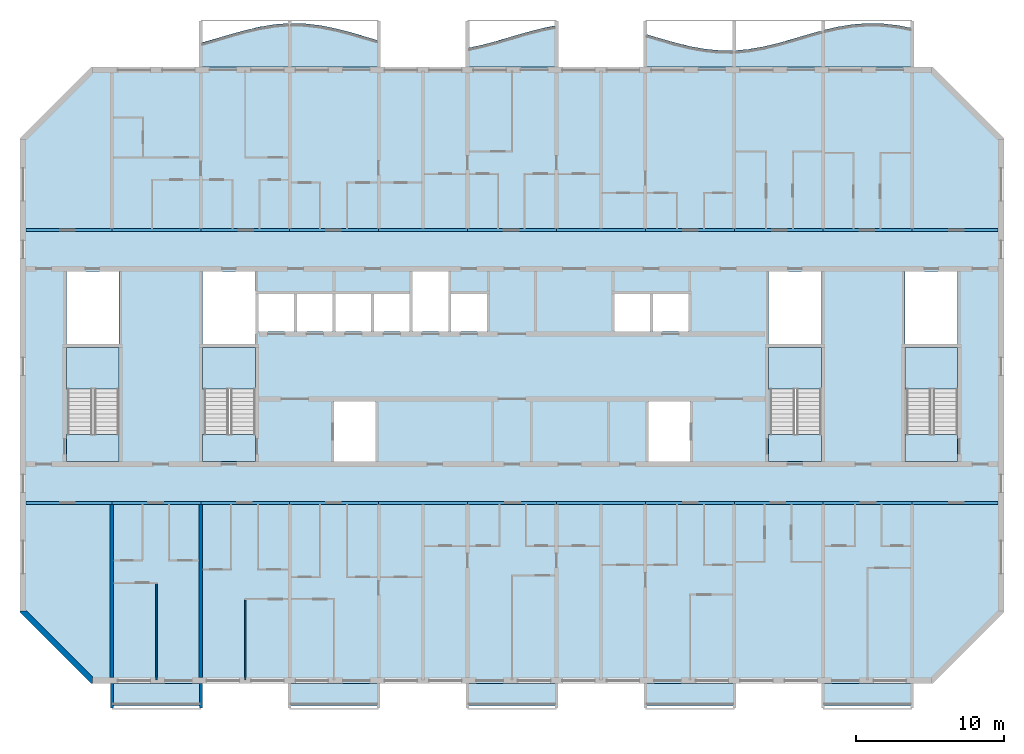
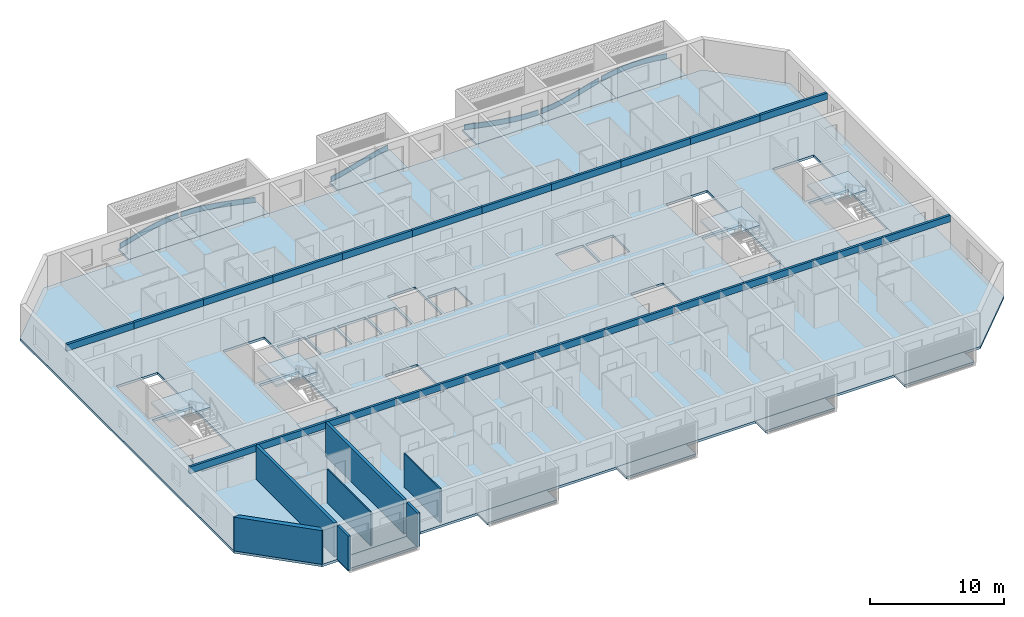
# One storey, part 1 of 26: 22 beams, 20 slabs, 7 walls, 6 plates, 4 elements without a shape of their own.
"""IFC4 building model written with IfcOpenShell, lengths in metres."""

import ifcopenshell
import ifcopenshell.guid

model = None  # the IFC model being written
_history = None  # IfcOwnerHistory: only IFC2X3 demands one
_inside = {}  # id of a spatial element -> (the spatial element, [elements in it])
_under = {}  # id of a project, library or spatial element -> (it, [spatial elements below it])
_declared = {}  # id of a project -> (the project, [libraries it declares])
_typed = {}  # id of a type object -> (the type object, [elements of that type])
_made_of = {}  # id of a material, layer set ... -> (it, [elements and type objects made of it])


def new_model(schema):
    """Start an empty IFC model of exactly this schema.

    Asked for "IFC4X3", IfcOpenShell would pick the latest addendum, in which some entities
    have other attributes; the version numbers below select the first issue.
    IFC2X3 requires an IfcOwnerHistory on every rooted entity: one is made here for all.
    """
    global model, _history
    if schema == "IFC4X3":
        model = ifcopenshell.file(schema_version=(4, 3, 0, 0))
    else:
        model = ifcopenshell.file(schema=schema)
    _inside.clear()
    _under.clear()
    _declared.clear()
    _typed.clear()
    _made_of.clear()
    _history = None
    if model.schema == "IFC2X3":
        org = make("IfcOrganization", Name="unknown")
        user = make(
            "IfcPersonAndOrganization",
            ThePerson=make("IfcPerson", FamilyName="unknown"),
            TheOrganization=org,
        )
        app = make(
            "IfcApplication",
            ApplicationDeveloper=org,
            Version="unknown",
            ApplicationFullName="unknown",
            ApplicationIdentifier="unknown",
        )
        _history = make(
            "IfcOwnerHistory",
            OwningUser=user,
            OwningApplication=app,
            ChangeAction="ADDED",
            CreationDate=0,
        )
    return model


def make(cls, **values):
    """One entity of the class cls with the attributes given. An attribute that is None is left unset."""
    return model.create_entity(
        cls, **{name: value for name, value in values.items() if value is not None}
    )


def rooted(cls, **values):
    """An entity with a GlobalId (a new one), such as an element, a storey or a relation."""
    return make(cls, GlobalId=ifcopenshell.guid.new(), OwnerHistory=_history, **values)


def si_unit(unit_type, name, prefix=None):
    """IfcSIUnit, for example si_unit("LENGTHUNIT", "METRE", prefix="MILLI")."""
    return make("IfcSIUnit", UnitType=unit_type, Prefix=prefix, Name=name)


def assignment(units):
    """IfcUnitAssignment: the units of a project."""
    return None if units is None else make("IfcUnitAssignment", Units=units)


def point(xyz):
    """IfcCartesianPoint."""
    return None if xyz is None else make("IfcCartesianPoint", Coordinates=xyz)


def direction(xyz):
    """IfcDirection."""
    return None if xyz is None else make("IfcDirection", DirectionRatios=xyz)


def frame(location, z_axis=None, x_axis=None):
    """IfcAxis2Placement3D, a coordinate frame: its origin and axes. An axis left out is left unset."""
    return make(
        "IfcAxis2Placement3D",
        Location=point(location),
        Axis=direction(z_axis),
        RefDirection=direction(x_axis),
    )


def frame_2d(location, x_axis=None):
    """IfcAxis2Placement2D, a coordinate frame in the plane: its origin and x axis."""
    return make(
        "IfcAxis2Placement2D", Location=point(location), RefDirection=direction(x_axis)
    )


def origin():
    """The frame at (0, 0, 0) with its axes left unset."""
    return frame((0.0, 0.0, 0.0))


def origin_2d():
    """The frame at (0, 0) in the plane with its x axis left unset."""
    return frame_2d((0.0, 0.0))


def place(relative_to, where):
    """IfcLocalPlacement: puts the frame where relative to a parent placement (None: the world)."""
    return make(
        "IfcLocalPlacement", PlacementRelTo=relative_to, RelativePlacement=where
    )


def context(
    kind, dimensions, precision=None, world=None, true_north=None, identifier=None
):
    """IfcGeometricRepresentationContext, for example the 3D "Model" context."""
    return make(
        "IfcGeometricRepresentationContext",
        ContextIdentifier=identifier,
        ContextType=kind,
        CoordinateSpaceDimension=dimensions,
        Precision=precision,
        WorldCoordinateSystem=world,
        TrueNorth=true_north,
    )


def subcontext(parent, identifier, kind, view, scale=None):
    """IfcGeometricRepresentationSubContext, for example "Body" below "Model"."""
    return make(
        "IfcGeometricRepresentationSubContext",
        ContextIdentifier=identifier,
        ContextType=kind,
        ParentContext=parent,
        TargetScale=scale,
        TargetView=view,
    )


def project(units=None, contexts=None):
    """IfcProject with its units and contexts."""
    return rooted(
        "IfcProject",
        Name="project",
        RepresentationContexts=contexts,
        UnitsInContext=assignment(units),
    )


def spatial(cls, under=None, at=None, **own):
    """A site, building, storey or space (cls), placed at a placement, below another one or the project."""
    s = rooted(cls, ObjectPlacement=at, **own)
    if under is not None:
        _under.setdefault(under.id(), (under, []))[1].append(s)
    return s


def polyline(points):
    """IfcPolyline through the points."""
    return make("IfcPolyline", Points=[point(p) for p in points])


def profile(cls, at=None, kind="AREA", **sizes):
    """A parametric profile (cls). Its sizes go by their IFC names, for example OverallWidth=200.0."""
    return make(cls, ProfileType=kind, Position=at, **sizes)


def rectangle(**sizes):
    """IfcRectangleProfileDef."""
    return profile("IfcRectangleProfileDef", **sizes)


def outline(outer, holes=None, kind="AREA"):
    """IfcArbitraryClosedProfileDef: a profile drawn as a closed curve; with holes, ...WithVoids."""
    if holes is None:
        return make("IfcArbitraryClosedProfileDef", ProfileType=kind, OuterCurve=outer)
    return make(
        "IfcArbitraryProfileDefWithVoids",
        ProfileType=kind,
        OuterCurve=outer,
        InnerCurves=holes,
    )


def extrude(swept, where, along, depth):
    """IfcExtrudedAreaSolid: the profile swept, set in the frame where, extruded along a direction by depth."""
    return make(
        "IfcExtrudedAreaSolid",
        SweptArea=swept,
        Position=where,
        ExtrudedDirection=direction(along),
        Depth=depth,
    )


def shape(context_of_items, identifier, shape_type, items):
    """IfcShapeRepresentation: the items that make up one representation, for example the "Body"."""
    return make(
        "IfcShapeRepresentation",
        ContextOfItems=context_of_items,
        RepresentationIdentifier=identifier,
        RepresentationType=shape_type,
        Items=items,
    )


def source(mapping_origin, context_of_items, identifier, shape_type, items):
    """IfcRepresentationMap: a shape defined once, which mapped items show again and again."""
    return make(
        "IfcRepresentationMap",
        MappingOrigin=mapping_origin,
        MappedRepresentation=shape(context_of_items, identifier, shape_type, items),
    )


def transform(
    local_origin,
    x_axis=None,
    y_axis=None,
    z_axis=None,
    scale=None,
    scale2=None,
    scale3=None,
    uniform=True,
):
    """IfcCartesianTransformationOperator3D, or its non-uniform kind. x_axis, y_axis, z_axis: its Axis1, 2, 3."""
    if uniform:
        return make(
            "IfcCartesianTransformationOperator3D",
            Axis1=direction(x_axis),
            Axis2=direction(y_axis),
            LocalOrigin=point(local_origin),
            Scale=scale,
            Axis3=direction(z_axis),
        )
    return make(
        "IfcCartesianTransformationOperator3DnonUniform",
        Axis1=direction(x_axis),
        Axis2=direction(y_axis),
        LocalOrigin=point(local_origin),
        Scale=scale,
        Axis3=direction(z_axis),
        Scale2=scale2,
        Scale3=scale3,
    )


def mapped(mapping_source, mapping_target):
    """IfcMappedItem: shows the shape of a source again, moved by a transform."""
    return make(
        "IfcMappedItem", MappingSource=mapping_source, MappingTarget=mapping_target
    )


def material(Name=None, Category=None):
    """IfcMaterial."""
    return make("IfcMaterial", Name=Name, Category=Category)


def layer(
    of_material, thickness, ventilated=None, Name=None, Category=None, Priority=None
):
    """IfcMaterialLayer: one layer of a wall or slab, of a material (None: an air gap)."""
    return make(
        "IfcMaterialLayer",
        Material=of_material,
        LayerThickness=thickness,
        IsVentilated=ventilated,
        Name=Name,
        Category=Category,
        Priority=Priority,
    )


def layer_set(layers, Name=None):
    """IfcMaterialLayerSet."""
    return make("IfcMaterialLayerSet", MaterialLayers=layers, LayerSetName=Name)


def material_profile(
    of_material, cross_section, Name=None, Category=None, Priority=None
):
    """IfcMaterialProfile: a cross section and its material."""
    return make(
        "IfcMaterialProfile",
        Name=Name,
        Material=of_material,
        Profile=cross_section,
        Priority=Priority,
        Category=Category,
    )


def profile_set(profiles, Name=None, composite=None):
    """IfcMaterialProfileSet."""
    return make(
        "IfcMaterialProfileSet",
        Name=Name,
        MaterialProfiles=profiles,
        CompositeProfile=composite,
    )


def made_of(thing, what):
    """Note that an element or type object is made of a material, layer set ...; save() writes the relation."""
    if what is not None:
        _made_of.setdefault(what.id(), (what, []))[1].append(thing)
    return thing


def type_object(cls, material=None, **own):
    """A type object (cls), such as IfcWallType, which elements share."""
    return made_of(rooted(cls, **own), material)


def element(
    cls,
    number,
    at=None,
    inside=None,
    cuts=None,
    type_object=None,
    material=None,
    context=None,
    identifier="Body",
    shape_type=None,
    held_by="IfcProductDefinitionShape",
    body=None,
    shapes=None,
    **own,
):
    """One element of the class cls, such as IfcWall. Its Tag is "e" and its number.

    at: its placement. inside: the storey or other place that contains it. cuts: it is an
    opening in that element (IfcRelVoidsElement). A single representation is given by context,
    identifier, shape_type and body (its items); several are given by shapes. held_by: the class
    of the entity that holds the representations. save() writes the other relations.
    """
    e = rooted(cls, Tag="e%d" % number, ObjectPlacement=at, **own)
    if body is not None:
        shapes = [shape(context, identifier, shape_type, body)]
    if shapes is not None:
        e.Representation = make(held_by, Representations=shapes)
    if inside is not None:
        _inside.setdefault(inside.id(), (inside, []))[1].append(e)
    if cuts is not None:
        rooted(
            "IfcRelVoidsElement", RelatingBuildingElement=cuts, RelatedOpeningElement=e
        )
    if type_object is not None:
        _typed.setdefault(type_object.id(), (type_object, []))[1].append(e)
    return made_of(e, material)


def aggregate(whole, parts):
    """IfcRelAggregates: a whole, such as a stair, and the parts it consists of."""
    return rooted("IfcRelAggregates", RelatingObject=whole, RelatedObjects=parts)


def save(model, path):
    """Write the relations noted so far, then the file.

    IfcRelAggregates (storeys below a building ...), IfcRelContainedInSpatialStructure (elements
    in a storey), IfcRelDefinesByType, IfcRelAssociatesMaterial and IfcRelDeclares: one each for
    every whole, place, type object, material and project.
    """
    for whole, parts in _under.values():
        aggregate(whole, parts)
    for where, things in _inside.values():
        rooted(
            "IfcRelContainedInSpatialStructure",
            RelatedElements=things,
            RelatingStructure=where,
        )
    for kind, things in _typed.values():
        rooted("IfcRelDefinesByType", RelatedObjects=things, RelatingType=kind)
    for what, things in _made_of.values():
        rooted("IfcRelAssociatesMaterial", RelatedObjects=things, RelatingMaterial=what)
    for by, libraries in _declared.values():
        rooted("IfcRelDeclares", RelatingContext=by, RelatedDefinitions=libraries)
    model.write(path)


model = new_model("IFC4")

# Units and contexts
model_context = context("Model", 3, precision=1e-05, world=origin(), true_north=direction((0.0, 1.0)))
body_context = subcontext(model_context, "Body", "Model", "MODEL_VIEW")
ifc_project = project(units=[si_unit("LENGTHUNIT", "METRE"), si_unit("AREAUNIT", "SQUARE_METRE"), si_unit("VOLUMEUNIT", "CUBIC_METRE"), si_unit("PLANEANGLEUNIT", "RADIAN"), si_unit("MASSUNIT", "GRAM", prefix="KILO")], contexts=[model_context])

# Site, building, storey
site_placement = place(None, origin())
site = spatial("IfcSite", under=ifc_project, at=site_placement, CompositionType="ELEMENT")
building_placement = place(site_placement, origin())
building = spatial("IfcBuilding", under=site, at=building_placement, Name="Poui Terraces", CompositionType="ELEMENT")
storey_placement = place(building_placement, frame((0.0, 0.0, 228.0)))
storey = spatial("IfcBuildingStorey", under=building, at=storey_placement, Name="L63", CompositionType="ELEMENT", Elevation=228.0)

# Beams
ifc_material_1 = material(Name="Concrete 50 MPa", Category="concrete")
ifc_material_profile = material_profile(ifc_material_1, rectangle(XDim=0.199951171875, YDim=0.60009765625, at=origin_2d()), Name="RC 200x600")
ifc_profile_set = profile_set([ifc_material_profile], Name="Concrete 50 MPa")
beam_type = type_object("IfcBeamType", Name="COUPLING BEAM 200x600 50MPa", PredefinedType="BEAM", material=ifc_profile_set)
shared_shape_1 = source(origin(), body_context, "Body", "SweptSolid", [
    extrude(rectangle(XDim=0.199951171875, YDim=0.60009765625, at=origin_2d()), origin(), (0.0, 0.0, 1.0), 5.800048828125),
])
for number, where, z_axis, x_axis, name in (
    (1, (18.199951171875, 12.0, 2.780029296875), (1.0, 0.0, 0.0), (0.0, 1.0, 0.0), "COUPLING BEAM LINE B BAY 1"),
    (2, (78.0, 12.0, 2.780029296875), (1.0, 0.0, 0.0), (0.0, 1.0, 0.0), "COUPLING BEAM LINE B BAY 11"),
    (3, (18.199951171875, 30.39990234375, 2.780029296875), (1.0, 0.0, 0.0), (0.0, 1.0, 0.0), "COUPLING BEAM LINE E BAY 1"),
    (4, (78.0, 30.39990234375, 2.780029296875), (1.0, 0.0, 0.0), (0.0, 1.0, 0.0), "COUPLING BEAM LINE E BAY 11"),
):
    element("IfcBeam", number, at=place(storey_placement, frame(where, z_axis=z_axis, x_axis=x_axis)), inside=storey, type_object=beam_type, Name=name, PredefinedType="BEAM", context=body_context, shape_type="MappedRepresentation", body=[
        mapped(shared_shape_1, transform((0.0, 0.0, 0.0))),
    ])
shared_shape_2 = source(origin(), body_context, "Body", "SweptSolid", [
    extrude(rectangle(XDim=0.199951171875, YDim=0.60009765625, at=origin_2d()), origin(), (0.0, 0.0, 1.0), 6.0),
])
for number, where, z_axis, x_axis, name in (
    (5, (24.0, 12.0, 2.780029296875), (1.0, 0.0, 0.0), (0.0, 1.0, 0.0), "COUPLING BEAM LINE B BAY 2"),
    (6, (30.0, 12.0, 2.780029296875), (1.0, 0.0, 0.0), (0.0, 1.0, 0.0), "COUPLING BEAM LINE B BAY 3"),
    (7, (36.0, 12.0, 2.780029296875), (1.0, 0.0, 0.0), (0.0, 1.0, 0.0), "COUPLING BEAM LINE B BAY 4"),
    (8, (42.0, 12.0, 2.780029296875), (1.0, 0.0, 0.0), (0.0, 1.0, 0.0), "COUPLING BEAM LINE B BAY 5"),
    (9, (48.0, 12.0, 2.780029296875), (1.0, 0.0, 0.0), (0.0, 1.0, 0.0), "COUPLING BEAM LINE B BAY 6"),
    (10, (54.0, 12.0, 2.780029296875), (1.0, 0.0, 0.0), (0.0, 1.0, 0.0), "COUPLING BEAM LINE B BAY 7"),
    (11, (60.0, 12.0, 2.780029296875), (1.0, 0.0, 0.0), (0.0, 1.0, 0.0), "COUPLING BEAM LINE B BAY 8"),
    (12, (66.0, 12.0, 2.780029296875), (1.0, 0.0, 0.0), (0.0, 1.0, 0.0), "COUPLING BEAM LINE B BAY 9"),
    (13, (72.0, 12.0, 2.780029296875), (1.0, 0.0, 0.0), (0.0, 1.0, 0.0), "COUPLING BEAM LINE B BAY 10"),
    (14, (24.0, 30.39990234375, 2.780029296875), (1.0, 0.0, 0.0), (0.0, 1.0, 0.0), "COUPLING BEAM LINE E BAY 2"),
    (15, (30.0, 30.39990234375, 2.780029296875), (1.0, 0.0, 0.0), (0.0, 1.0, 0.0), "COUPLING BEAM LINE E BAY 3"),
    (16, (36.0, 30.39990234375, 2.780029296875), (1.0, 0.0, 0.0), (0.0, 1.0, 0.0), "COUPLING BEAM LINE E BAY 4"),
    (17, (42.0, 30.39990234375, 2.780029296875), (1.0, 0.0, 0.0), (0.0, 1.0, 0.0), "COUPLING BEAM LINE E BAY 5"),
    (18, (48.0, 30.39990234375, 2.780029296875), (1.0, 0.0, 0.0), (0.0, 1.0, 0.0), "COUPLING BEAM LINE E BAY 6"),
    (19, (54.0, 30.39990234375, 2.780029296875), (1.0, 0.0, 0.0), (0.0, 1.0, 0.0), "COUPLING BEAM LINE E BAY 7"),
    (20, (60.0, 30.39990234375, 2.780029296875), (1.0, 0.0, 0.0), (0.0, 1.0, 0.0), "COUPLING BEAM LINE E BAY 8"),
    (21, (66.0, 30.39990234375, 2.780029296875), (1.0, 0.0, 0.0), (0.0, 1.0, 0.0), "COUPLING BEAM LINE E BAY 9"),
    (22, (72.0, 30.39990234375, 2.780029296875), (1.0, 0.0, 0.0), (0.0, 1.0, 0.0), "COUPLING BEAM LINE E BAY 10"),
):
    element("IfcBeam", number, at=place(storey_placement, frame(where, z_axis=z_axis, x_axis=x_axis)), inside=storey, type_object=beam_type, Name=name, PredefinedType="BEAM", context=body_context, shape_type="MappedRepresentation", body=[
        mapped(shared_shape_2, transform((0.0, 0.0, 0.0))),
    ])

# Slabs
ifc_material_2 = material(Name="Precast concrete 40 MPa", Category="concrete")
ifc_layer_1 = layer(ifc_material_2, 0.199951171875)
ifc_layer_set_1 = layer_set([ifc_layer_1], Name="Precast concrete 40 MPa")
slab_type_1 = type_object("IfcSlabType", Name="BALCONY SLAB 200", PredefinedType="FLOOR", material=ifc_layer_set_1)
slab_1_placement = place(storey_placement, frame((0.0, 0.0, -0.2001953125)))
element("IfcSlab", 23, at=slab_1_placement, inside=storey, type_object=slab_type_1, Name="BALCONY SLAB", PredefinedType="FLOOR", context=body_context, shape_type="SweptSolid", body=[
    extrude(outline(polyline([(30.0, 41.39990234375), (36.0, 41.39990234375), (36.0, 44.345947265625), (35.0, 44.27099609375), (34.0, 44.109130859375), (33.0, 43.876708984375), (32.0, 43.597900390625), (31.0, 43.30126953125), (30.0, 43.017333984375), (30.0, 41.39990234375)])), origin(), (0.0, 0.0, 1.0), 0.2001953125),
])
slab_2_placement = place(storey_placement, frame((0.0, 0.0, -0.2001953125)))
element("IfcSlab", 24, at=slab_2_placement, inside=storey, type_object=slab_type_1, Name="BALCONY SLAB", PredefinedType="FLOOR", context=body_context, shape_type="SweptSolid", body=[
    extrude(outline(polyline([(36.0, 41.39990234375), (42.0, 41.39990234375), (42.0, 43.1796875), (41.0, 43.474609375), (40.0, 43.7646484375), (39.0, 44.01953125), (38.0, 44.21337890625), (37.0, 44.325927734375), (36.0, 44.345947265625), (36.0, 41.39990234375)])), origin(), (0.0, 0.0, 1.0), 0.2001953125),
])
slab_3_placement = place(storey_placement, frame((0.0, 0.0, -0.2001953125)))
element("IfcSlab", 25, at=slab_3_placement, inside=storey, type_object=slab_type_1, Name="BALCONY SLAB", PredefinedType="FLOOR", context=body_context, shape_type="SweptSolid", body=[
    extrude(outline(polyline([(48.0, 41.39990234375), (54.0, 41.39990234375), (54.0, 44.2001953125), (53.0, 44.000244140625), (52.0, 43.741455078125), (51.0, 43.44970703125), (50.0, 43.15576171875), (49.0, 42.889404296875), (48.0, 42.677978515625), (48.0, 41.39990234375)])), origin(), (0.0, 0.0, 1.0), 0.2001953125),
])
slab_4_placement = place(storey_placement, frame((0.0, 0.0, -0.2001953125)))
element("IfcSlab", 26, at=slab_4_placement, inside=storey, type_object=slab_type_1, Name="BALCONY SLAB", PredefinedType="FLOOR", context=body_context, shape_type="SweptSolid", body=[
    extrude(outline(polyline([(60.0, 41.39990234375), (66.0, 41.39990234375), (66.0, 42.510009765625), (65.0, 42.51416015625), (64.0, 42.61181640625), (63.0, 42.793212890625), (62.0, 43.039794921875), (61.0, 43.32568359375), (60.0, 43.622314453125), (60.0, 41.39990234375)])), origin(), (0.0, 0.0, 1.0), 0.2001953125),
])
slab_5_placement = place(storey_placement, frame((0.0, 0.0, -0.2001953125)))
element("IfcSlab", 27, at=slab_5_placement, inside=storey, type_object=slab_type_1, Name="BALCONY SLAB", PredefinedType="FLOOR", context=body_context, shape_type="SweptSolid", body=[
    extrude(outline(polyline([(66.0, 41.39990234375), (72.0, 41.39990234375), (72.0, 43.876708984375), (71.0, 43.597900390625), (70.0, 43.30126953125), (69.0, 43.017333984375), (68.0, 42.775390625), (67.0, 42.600341796875), (66.0, 42.510009765625), (66.0, 41.39990234375)])), origin(), (0.0, 0.0, 1.0), 0.2001953125),
])
slab_6_placement = place(storey_placement, frame((0.0, 0.0, -0.2001953125)))
element("IfcSlab", 28, at=slab_6_placement, inside=storey, type_object=slab_type_1, Name="BALCONY SLAB", PredefinedType="FLOOR", context=body_context, shape_type="SweptSolid", body=[
    extrude(outline(polyline([(72.0, 41.39990234375), (78.0, 41.39990234375), (78.0, 44.01953125), (77.0, 44.21337890625), (76.0, 44.325927734375), (75.0, 44.345947265625), (74.0, 44.27099609375), (73.0, 44.109130859375), (72.0, 43.876708984375), (72.0, 41.39990234375)])), origin(), (0.0, 0.0, 1.0), 0.2001953125),
])

# Stair, slabs
stair_type = type_object("IfcStairType", Name="EXIT STAIR 1650 50 MPA", PredefinedType="HALF_TURN_STAIR", material=ifc_material_1)
stair_1_placement = place(storey_placement, origin())
stair_1 = element("IfcStair", 29, at=stair_1_placement, inside=storey, type_object=stair_type, Name="L63 CORE STAIR EAST", PredefinedType="HALF_TURN_STAIR")
ifc_layer_2 = layer(ifc_material_1, 0.199951171875)
ifc_layer_set_2 = layer_set([ifc_layer_2], Name="Concrete 50 MPa")
slab_type_2 = type_object("IfcSlabType", Name="STAIR LANDING 200 50 MPA", PredefinedType="LANDING", material=ifc_layer_set_2)
slab_7_placement = place(storey_placement, frame((0.0, 0.0, 1.449951171875)))
slab_7 = element("IfcSlab", 30, at=slab_7_placement, type_object=slab_type_2, Name="ST-CE landing 1", PredefinedType="LANDING", context=body_context, shape_type="SweptSolid", body=[
    extrude(outline(polyline([(68.324951171875, 19.679931640625), (71.875, 19.679931640625), (71.875, 22.47509765625), (68.324951171875, 22.47509765625), (68.324951171875, 19.679931640625)])), origin(), (0.0, 0.0, 1.0), 0.199951171875),
])
slab_8_placement = place(storey_placement, frame((0.0, 0.0, -0.2001953125)))
slab_8 = element("IfcSlab", 31, at=slab_8_placement, type_object=slab_type_2, Name="ST-CE landing 2", PredefinedType="LANDING", context=body_context, shape_type="SweptSolid", body=[
    extrude(outline(polyline([(68.324951171875, 14.77490234375), (71.875, 14.77490234375), (71.875, 16.60009765625), (68.324951171875, 16.60009765625), (68.324951171875, 14.77490234375)])), origin(), (0.0, 0.0, 1.0), 0.2001953125),
])
aggregate(stair_1, [slab_7, slab_8])

stair_2_placement = place(storey_placement, origin())
stair_2 = element("IfcStair", 32, at=stair_2_placement, inside=storey, type_object=stair_type, Name="L63 CORE STAIR WEST", PredefinedType="HALF_TURN_STAIR")
slab_9_placement = place(storey_placement, frame((0.0, 0.0, 1.449951171875)))
slab_9 = element("IfcSlab", 33, at=slab_9_placement, type_object=slab_type_2, Name="ST-CW landing 1", PredefinedType="LANDING", context=body_context, shape_type="SweptSolid", body=[
    extrude(outline(polyline([(30.125, 19.679931640625), (33.675048828125, 19.679931640625), (33.675048828125, 22.47509765625), (30.125, 22.47509765625), (30.125, 19.679931640625)])), origin(), (0.0, 0.0, 1.0), 0.199951171875),
])
slab_10_placement = place(storey_placement, frame((0.0, 0.0, -0.2001953125)))
slab_10 = element("IfcSlab", 34, at=slab_10_placement, type_object=slab_type_2, Name="ST-CW landing 2", PredefinedType="LANDING", context=body_context, shape_type="SweptSolid", body=[
    extrude(outline(polyline([(30.125, 14.77490234375), (33.675048828125, 14.77490234375), (33.675048828125, 16.60009765625), (30.125, 16.60009765625), (30.125, 14.77490234375)])), origin(), (0.0, 0.0, 1.0), 0.2001953125),
])
aggregate(stair_2, [slab_9, slab_10])

stair_3_placement = place(storey_placement, origin())
stair_3 = element("IfcStair", 35, at=stair_3_placement, inside=storey, type_object=stair_type, Name="L63 TIP STAIR EAST", PredefinedType="HALF_TURN_STAIR")
slab_11_placement = place(storey_placement, frame((0.0, 0.0, 1.449951171875)))
slab_11 = element("IfcSlab", 36, at=slab_11_placement, type_object=slab_type_2, Name="ST-E landing 1", PredefinedType="LANDING", context=body_context, shape_type="SweptSolid", body=[
    extrude(outline(polyline([(77.52490234375, 19.679931640625), (81.074951171875, 19.679931640625), (81.074951171875, 22.47509765625), (77.52490234375, 22.47509765625), (77.52490234375, 19.679931640625)])), origin(), (0.0, 0.0, 1.0), 0.199951171875),
])
slab_12_placement = place(storey_placement, frame((0.0, 0.0, -0.2001953125)))
slab_12 = element("IfcSlab", 37, at=slab_12_placement, type_object=slab_type_2, Name="ST-E landing 2", PredefinedType="LANDING", context=body_context, shape_type="SweptSolid", body=[
    extrude(outline(polyline([(77.52490234375, 14.77490234375), (81.074951171875, 14.77490234375), (81.074951171875, 16.60009765625), (77.52490234375, 16.60009765625), (77.52490234375, 14.77490234375)])), origin(), (0.0, 0.0, 1.0), 0.2001953125),
])
aggregate(stair_3, [slab_11, slab_12])

stair_4_placement = place(storey_placement, origin())
stair_4 = element("IfcStair", 38, at=stair_4_placement, inside=storey, type_object=stair_type, Name="L63 TIP STAIR WEST", PredefinedType="HALF_TURN_STAIR")
slab_13_placement = place(storey_placement, frame((0.0, 0.0, 1.449951171875)))
slab_13 = element("IfcSlab", 39, at=slab_13_placement, type_object=slab_type_2, Name="ST-W landing 1", PredefinedType="LANDING", context=body_context, shape_type="SweptSolid", body=[
    extrude(outline(polyline([(20.925048828125, 19.679931640625), (24.47509765625, 19.679931640625), (24.47509765625, 22.47509765625), (20.925048828125, 22.47509765625), (20.925048828125, 19.679931640625)])), origin(), (0.0, 0.0, 1.0), 0.199951171875),
])
slab_14_placement = place(storey_placement, frame((0.0, 0.0, -0.2001953125)))
slab_14 = element("IfcSlab", 40, at=slab_14_placement, type_object=slab_type_2, Name="ST-W landing 2", PredefinedType="LANDING", context=body_context, shape_type="SweptSolid", body=[
    extrude(outline(polyline([(20.925048828125, 14.77490234375), (24.47509765625, 14.77490234375), (24.47509765625, 16.60009765625), (20.925048828125, 16.60009765625), (20.925048828125, 14.77490234375)])), origin(), (0.0, 0.0, 1.0), 0.2001953125),
])
aggregate(stair_4, [slab_13, slab_14])

# Plates
ifc_layer_3 = layer(ifc_material_2, 0.080078125)
ifc_layer_set_3 = layer_set([ifc_layer_3], Name="Precast concrete 40 MPa")
plate_type = type_object("IfcPlateType", Name="SUNSHADE UPSTAND 80", PredefinedType="SHEET", material=ifc_layer_set_3)
plate_1_placement = place(storey_placement, origin())
element("IfcPlate", 41, at=plate_1_placement, inside=storey, type_object=plate_type, Name="SUNSHADE UPSTAND", PredefinedType="SHEET", context=body_context, shape_type="SweptSolid", body=[
    extrude(outline(polyline([(30.98876953125, 43.294677734375), (30.114013671875, 43.04443359375), (30.135986328125, 42.967529296875), (31.01123046875, 43.2177734375), (32.010986328125, 43.514404296875), (33.010009765625, 43.79296875), (34.0078125, 44.02490234375), (35.0048828125, 44.186279296875), (35.878173828125, 44.2568359375), (35.871826171875, 44.336181640625), (35.83251953125, 44.33349609375), (34.9951171875, 44.265869140625), (33.9921875, 44.103271484375), (32.989990234375, 43.87060546875), (31.989013671875, 43.59130859375), (30.98876953125, 43.294677734375)])), origin(), (0.0, 0.0, 1.0), 0.449951171875),
])
plate_2_placement = place(storey_placement, origin())
element("IfcPlate", 42, at=plate_2_placement, inside=storey, type_object=plate_type, Name="SUNSHADE UPSTAND", PredefinedType="SHEET", context=body_context, shape_type="SweptSolid", body=[
    extrude(outline(polyline([(37.002685546875, 44.321044921875), (36.166748046875, 44.342529296875), (36.1259765625, 44.343505859375), (36.1240234375, 44.263671875), (36.997314453125, 44.2412109375), (37.993896484375, 44.12890625), (38.9912109375, 43.935546875), (39.989501953125, 43.680908203125), (40.98876953125, 43.391357421875), (41.863525390625, 43.13232421875), (41.886474609375, 43.208984375), (41.01123046875, 43.468017578125), (40.010498046875, 43.75830078125), (39.0087890625, 44.013671875), (38.006103515625, 44.2080078125), (37.002685546875, 44.321044921875)])), origin(), (0.0, 0.0, 1.0), 0.449951171875),
])
plate_3_placement = place(storey_placement, origin())
element("IfcPlate", 43, at=plate_3_placement, inside=storey, type_object=plate_type, Name="SUNSHADE UPSTAND", PredefinedType="SHEET", context=body_context, shape_type="SweptSolid", body=[
    extrude(outline(polyline([(48.990478515625, 42.88330078125), (48.11669921875, 42.69482421875), (48.13330078125, 42.61669921875), (49.009521484375, 42.805419921875), (50.0107421875, 43.072265625), (51.01123046875, 43.366455078125), (52.010498046875, 43.65771484375), (53.009033203125, 43.91650390625), (53.883056640625, 44.094970703125), (53.866943359375, 44.17333984375), (52.990966796875, 43.994384765625), (51.989501953125, 43.73486328125), (50.98876953125, 43.443115234375), (49.9892578125, 43.1494140625), (48.990478515625, 42.88330078125)])), origin(), (0.0, 0.0, 1.0), 0.449951171875),
])
plate_4_placement = place(storey_placement, origin())
element("IfcPlate", 44, at=plate_4_placement, inside=storey, type_object=plate_type, Name="SUNSHADE UPSTAND", PredefinedType="SHEET", context=body_context, shape_type="SweptSolid", body=[
    extrude(outline(polyline([(61.01123046875, 43.319091796875), (60.136474609375, 43.5791015625), (60.113525390625, 43.502197265625), (60.98876953125, 43.242431640625), (61.98974609375, 42.9560546875), (62.99169921875, 42.708984375), (63.994384765625, 42.527099609375), (64.997802734375, 42.42919921875), (65.87451171875, 42.42041015625), (65.87548828125, 42.500244140625), (65.002197265625, 42.509033203125), (64.005615234375, 42.6064453125), (63.00830078125, 42.787353515625), (62.01025390625, 43.033447265625), (61.01123046875, 43.319091796875)])), origin(), (0.0, 0.0, 1.0), 0.449951171875),
])
plate_5_placement = place(storey_placement, origin())
element("IfcPlate", 45, at=plate_5_placement, inside=storey, type_object=plate_type, Name="SUNSHADE UPSTAND", PredefinedType="SHEET", context=body_context, shape_type="SweptSolid", body=[
    extrude(outline(polyline([(66.99462890625, 42.594970703125), (66.12109375, 42.510986328125), (66.12890625, 42.431396484375), (67.00537109375, 42.515625), (68.00830078125, 42.691162109375), (69.01025390625, 42.93359375), (70.01123046875, 43.2177734375), (71.010986328125, 43.514404296875), (71.8857421875, 43.76025390625), (71.8642578125, 43.83740234375), (70.989013671875, 43.59130859375), (69.98876953125, 43.294677734375), (68.98974609375, 43.010986328125), (67.99169921875, 42.76953125), (66.99462890625, 42.594970703125)])), origin(), (0.0, 0.0, 1.0), 0.449951171875),
])
plate_6_placement = place(storey_placement, origin())
element("IfcPlate", 46, at=plate_6_placement, inside=storey, type_object=plate_type, Name="SUNSHADE UPSTAND", PredefinedType="SHEET", context=body_context, shape_type="SweptSolid", body=[
    extrude(outline(polyline([(72.9921875, 44.103515625), (72.1162109375, 43.90283203125), (72.1337890625, 43.82470703125), (73.0078125, 44.02490234375), (74.004638671875, 44.186279296875), (75.001220703125, 44.260986328125), (75.997314453125, 44.2412109375), (76.993896484375, 44.12890625), (77.86767578125, 43.96337890625), (77.88232421875, 44.0419921875), (77.006103515625, 44.2080078125), (76.002685546875, 44.321044921875), (74.998779296875, 44.3408203125), (73.995361328125, 44.265869140625), (72.9921875, 44.103515625)])), origin(), (0.0, 0.0, 1.0), 0.449951171875),
])

# Slabs
ifc_material_3 = material(Name="Concrete 40 MPa", Category="concrete")
ifc_layer_4 = layer(ifc_material_3, 0.219970703125)
ifc_layer_set_4 = layer_set([ifc_layer_4], Name="Concrete 40 MPa")
slab_type_3 = type_object("IfcSlabType", Name="FLOOR SLAB 220", PredefinedType="FLOOR", material=ifc_layer_set_4)
shared_shape_3 = source(origin(), body_context, "Body", "SweptSolid", [
    extrude(outline(polyline([(0.0, 0.0), (4.800048828125, -4.800048828125), (61.599853515625, -4.800048828125), (66.39990234375, 0.0), (66.39990234375, 32.0), (61.599853515625, 36.7998046875), (4.800048828125, 36.7998046875), (0.0, 32.0), (0.0, 0.0)]), holes=[polyline([(21.199951171875, 10.1748046875), (21.199951171875, 14.224853515625), (24.0, 14.224853515625), (24.0, 10.1748046875), (21.199951171875, 10.1748046875)]), polyline([(3.224853515625, 17.849853515625), (6.675048828125, 17.849853515625), (6.675048828125, 12.0), (6.675048828125, 10.1748046875), (3.125, 10.1748046875), (3.125, 12.0), (3.224853515625, 12.0), (3.224853515625, 17.849853515625)]), polyline([(12.425048828125, 17.849853515625), (15.875, 17.849853515625), (15.875, 12.0), (15.875, 10.1748046875), (12.324951171875, 10.1748046875), (12.324951171875, 12.0), (12.425048828125, 12.0), (12.425048828125, 17.849853515625)]), polyline([(16.099853515625, 18.974853515625), (16.099853515625, 21.5), (18.5, 21.5), (18.5, 18.974853515625), (16.099853515625, 18.974853515625)]), polyline([(18.699951171875, 18.974853515625), (18.699951171875, 21.5), (21.099853515625, 21.5), (21.099853515625, 18.974853515625), (18.699951171875, 18.974853515625)]), polyline([(21.300048828125, 18.974853515625), (21.300048828125, 21.5), (23.699951171875, 21.5), (23.699951171875, 18.974853515625), (21.300048828125, 18.974853515625)]), polyline([(23.89990234375, 18.974853515625), (23.89990234375, 21.5), (26.300048828125, 21.5), (26.300048828125, 18.974853515625), (23.89990234375, 18.974853515625)]), polyline([(3.125, 23.02490234375), (6.675048828125, 23.02490234375), (6.675048828125, 18.125), (3.125, 18.125), (3.125, 23.02490234375)]), polyline([(12.324951171875, 23.02490234375), (15.875, 23.02490234375), (15.875, 18.125), (12.324951171875, 18.125), (12.324951171875, 23.02490234375)]), polyline([(42.39990234375, 10.1748046875), (42.39990234375, 14.224853515625), (45.199951171875, 14.224853515625), (45.199951171875, 10.1748046875), (42.39990234375, 10.1748046875)]), polyline([(50.625, 17.849853515625), (54.074951171875, 17.849853515625), (54.074951171875, 12.0), (54.074951171875, 10.1748046875), (50.52490234375, 10.1748046875), (50.52490234375, 12.0), (50.625, 12.0), (50.625, 17.849853515625)]), polyline([(59.824951171875, 17.849853515625), (63.27490234375, 17.849853515625), (63.27490234375, 12.0), (63.27490234375, 10.1748046875), (59.724853515625, 10.1748046875), (59.724853515625, 12.0), (59.824951171875, 12.0), (59.824951171875, 17.849853515625)]), polyline([(29.099853515625, 18.974853515625), (29.099853515625, 21.5), (31.5, 21.5), (31.5, 18.974853515625), (29.099853515625, 18.974853515625)]), polyline([(40.099853515625, 18.974853515625), (40.099853515625, 21.5), (42.5, 21.5), (42.5, 18.974853515625), (40.099853515625, 18.974853515625)]), polyline([(42.699951171875, 18.974853515625), (42.699951171875, 21.5), (45.099853515625, 21.5), (45.099853515625, 18.974853515625), (42.699951171875, 18.974853515625)]), polyline([(50.52490234375, 18.125), (50.52490234375, 23.02490234375), (54.074951171875, 23.02490234375), (54.074951171875, 18.125), (50.52490234375, 18.125)]), polyline([(59.724853515625, 23.02490234375), (63.27490234375, 23.02490234375), (63.27490234375, 18.125), (59.724853515625, 18.125), (59.724853515625, 23.02490234375)]), polyline([(26.5, 23.02490234375), (28.89990234375, 23.02490234375), (28.89990234375, 18.974853515625), (26.5, 18.974853515625), (26.5, 23.02490234375)])]), origin(), (0.0, 0.0, 1.0), 0.22021484375),
])
slab_15_placement = place(storey_placement, frame((17.800048828125, 4.60009765625, -0.22021484375)))
element("IfcSlab", 47, at=slab_15_placement, inside=storey, type_object=slab_type_3, Name="FLOOR SLAB", PredefinedType="FLOOR", context=body_context, shape_type="MappedRepresentation", body=[
    mapped(shared_shape_3, transform((0.0, 0.0, 0.0))),
])
ifc_layer_5 = layer(ifc_material_2, 0.199951171875)
ifc_layer_set_5 = layer_set([ifc_layer_5], Name="Precast concrete 40 MPa")
slab_type_4 = type_object("IfcSlabType", Name="REAR BALCONY SLAB 200", PredefinedType="FLOOR", material=ifc_layer_set_5)
shared_shape_4 = source(origin(), body_context, "Body", "SweptSolid", [
    extrude(outline(polyline([(0.0, 0.0), (6.0, 0.0), (6.0, 1.5), (0.0, 1.5), (0.0, 0.0)])), origin(), (0.0, 0.0, 1.0), 0.2001953125),
])
for number, where, name in (
    (48, (24.0, -1.699951171875, -0.2001953125), "REAR BALCONY SLAB"),
    (49, (36.0, -1.699951171875, -0.2001953125), "REAR BALCONY SLAB"),
    (50, (48.0, -1.699951171875, -0.2001953125), "REAR BALCONY SLAB"),
    (51, (60.0, -1.699951171875, -0.2001953125), "REAR BALCONY SLAB"),
    (52, (72.0, -1.699951171875, -0.2001953125), "REAR BALCONY SLAB"),
):
    element("IfcSlab", number, at=place(storey_placement, frame(where)), inside=storey, type_object=slab_type_4, Name=name, PredefinedType="FLOOR", context=body_context, shape_type="MappedRepresentation", body=[
        mapped(shared_shape_4, transform((0.0, 0.0, 0.0))),
    ])

# Walls
ifc_layer_6 = layer(ifc_material_1, 0.25)
ifc_layer_set_6 = layer_set([ifc_layer_6], Name="Concrete 50 MPa")
wall_type_1 = type_object("IfcWallType", Name="CROSS WALL 250 50MPa", PredefinedType="SHEAR", material=ifc_layer_set_6)
for number, where, z_axis, x_axis, name in (
    (53, (24.0, 0.199951171875, 0.0), (0.0, 0.0, 1.0), (0.0, 1.0, 0.0), "CROSS WALL LINE 5 SOUTH"),
    (54, (30.0, 0.199951171875, 0.0), (0.0, 0.0, 1.0), (0.0, 1.0, 0.0), "CROSS WALL LINE 6 SOUTH"),
):
    element("IfcWall", number, at=place(storey_placement, frame(where, z_axis=z_axis, x_axis=x_axis)), inside=storey, type_object=wall_type_1, Name=name, PredefinedType="SHEAR", context=body_context, shape_type="SweptSolid", body=[
        extrude(rectangle(XDim=11.699951171875, YDim=0.25, at=frame_2d((5.85009765625, 0.0))), origin(), (0.0, 0.0, 1.0), 3.080078125),
    ])
ifc_material_4 = material(Name="Plasterboard partition")
ifc_layer_7 = layer(ifc_material_4, 0.10009765625)
ifc_layer_set_7 = layer_set([ifc_layer_7], Name="Plasterboard partition")
wall_type_2 = type_object("IfcWallType", Name="FLAT PARTITION 100", PredefinedType="PARTITIONING", material=ifc_layer_set_7)
wall_1_placement = place(storey_placement, frame((27.0, 0.06005859375, 0.0), z_axis=(0.0, 0.0, 1.0), x_axis=(0.0, 1.0, 0.0)))
element("IfcWall", 55, at=wall_1_placement, inside=storey, type_object=wall_type_2, Name="FLAT PARTITION 100", PredefinedType="PARTITIONING", context=body_context, shape_type="SweptSolid", body=[
    extrude(rectangle(XDim=6.489990234375, YDim=0.10009765625, at=frame_2d((3.2451171875, 0.0))), origin(), (0.0, 0.0, 1.0), 3.080078125),
])
wall_2_placement = place(storey_placement, frame((33.0, 0.06005859375, 0.0), z_axis=(0.0, 0.0, 1.0), x_axis=(0.0, 1.0, 0.0)))
element("IfcWall", 56, at=wall_2_placement, inside=storey, type_object=wall_type_2, Name="FLAT PARTITION 100", PredefinedType="PARTITIONING", context=body_context, shape_type="SweptSolid", body=[
    extrude(rectangle(XDim=5.389892578125, YDim=0.10009765625, at=frame_2d((2.69482421875, 0.0))), origin(), (0.0, 0.0, 1.0), 3.080078125),
])
ifc_layer_8 = layer(ifc_material_2, 0.39990234375)
ifc_layer_set_8 = layer_set([ifc_layer_8], Name="Precast concrete 40 MPa")
wall_type_3 = type_object("IfcWallType", Name="TERRACOTTA CLAD CHAMFER WALL 400", PredefinedType="STANDARD", material=ifc_layer_set_8)
wall_3_placement = place(storey_placement, origin())
element("IfcWall", 57, at=wall_3_placement, inside=storey, type_object=wall_type_3, Name="CHAMFER WALL CH07", PredefinedType="STANDARD", context=body_context, shape_type="SweptSolid", body=[
    extrude(outline(polyline([(17.800048828125, 4.682861328125), (17.800048828125, 4.60009765625), (22.60009765625, -0.199951171875), (22.682861328125, -0.199951171875), (22.682861328125, 0.28271484375), (18.28271484375, 4.682861328125), (17.800048828125, 4.682861328125)])), origin(), (0.0, 0.0, 1.0), 3.080078125),
])
ifc_layer_9 = layer(ifc_material_2, 0.199951171875)
ifc_layer_set_9 = layer_set([ifc_layer_9], Name="Precast concrete 40 MPa")
wall_type_4 = type_object("IfcWallType", Name="REAR FIN 200", PredefinedType="STANDARD", material=ifc_layer_set_9)
shared_shape_5 = source(origin(), body_context, "Body", "SweptSolid", [
    extrude(outline(polyline([(0.0, 0.0), (0.2001953125, 0.0), (0.2001953125, 1.650146484375), (0.0, 1.650146484375), (0.0, 0.0)])), origin(), (0.0, 0.0, 1.0), 3.10009765625),
])
for number, where, name in (
    (58, (23.89990234375, -1.85009765625, 0.0), "REAR FIN"),
    (59, (29.89990234375, -1.85009765625, 0.0), "REAR FIN"),
):
    element("IfcWall", number, at=place(storey_placement, frame(where)), inside=storey, type_object=wall_type_4, Name=name, PredefinedType="STANDARD", context=body_context, shape_type="MappedRepresentation", body=[
        mapped(shared_shape_5, transform((0.0, 0.0, 0.0))),
    ])

save(model, "model.ifc")
